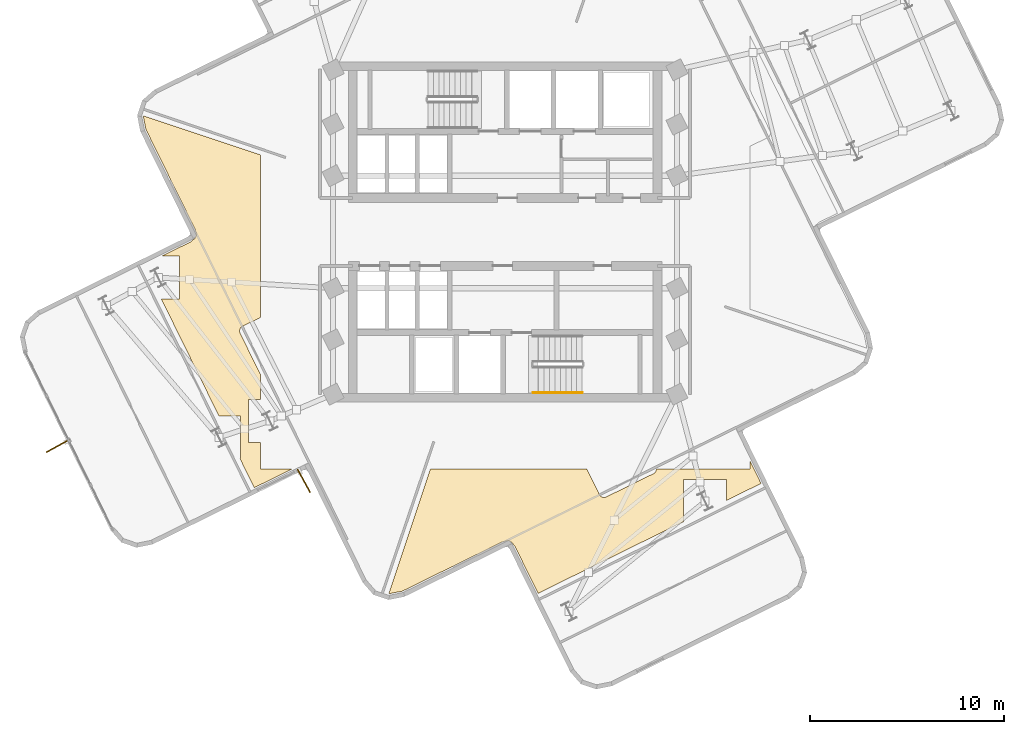
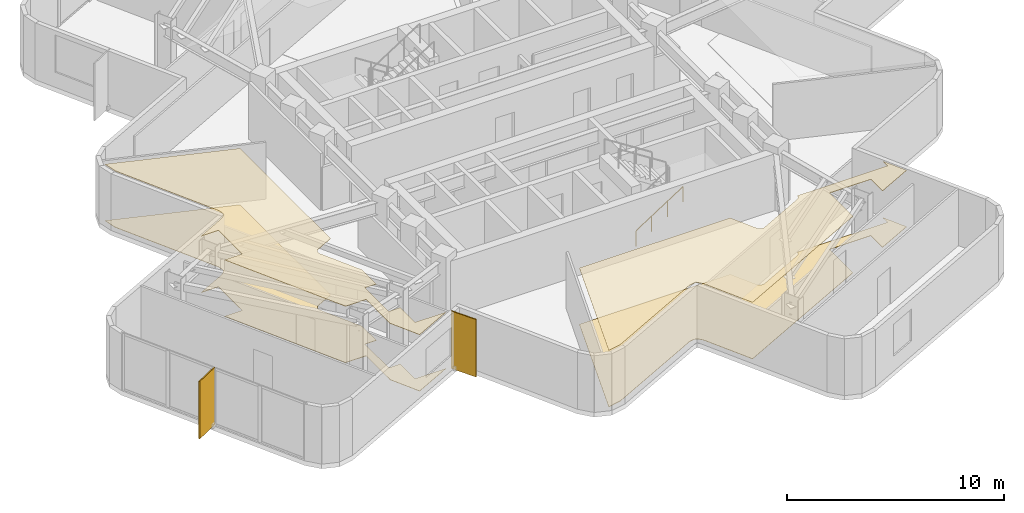
# One storey, part 9 of 11: 4 coverings, 2 shading devices, 1 railing.
"""IFC4 building model written with IfcOpenShell, lengths in metres."""

from ifc_helpers import new_model, si_unit, direction, frame, origin, origin_2d, place, context, subcontext, project, spatial, polyline, rectangle, circle, outline, extrude, material, layer, layer_set, type_object, element, save


model = new_model("IFC4")

# Units and contexts
model_context = context("Model", 3, precision=1e-05, world=origin(), true_north=direction((0.0, 1.0)))
body_context = subcontext(model_context, "Body", "Model", "MODEL_VIEW")
ifc_project = project(units=[si_unit("LENGTHUNIT", "METRE"), si_unit("AREAUNIT", "SQUARE_METRE"), si_unit("VOLUMEUNIT", "CUBIC_METRE"), si_unit("PLANEANGLEUNIT", "RADIAN"), si_unit("MASSUNIT", "GRAM", prefix="KILO")], contexts=[model_context])

# Site, building, storey
site_placement = place(None, origin())
site = spatial("IfcSite", under=ifc_project, at=site_placement, CompositionType="ELEMENT")
building_placement = place(site_placement, origin())
building = spatial("IfcBuilding", under=site, at=building_placement, Name="Solmarez Civic Tower", CompositionType="ELEMENT")
storey_placement = place(building_placement, frame((0.0, 0.0, 192.60009765625)))
storey = spatial("IfcBuildingStorey", under=building, at=storey_placement, Name="L51", CompositionType="ELEMENT", Elevation=192.60009765625)

# Coverings
ifc_material_1 = material(Name="Perforated Mineral-Fibre Acoustic Ceiling")
ifc_layer_1 = layer(ifc_material_1, 0.02490234375)
ifc_layer_set_1 = layer_set([ifc_layer_1], Name="Perforated Mineral-Fibre Acoustic Ceiling")
covering_type_1 = type_object("IfcCoveringType", Name="COV-CEIL-ACOUSTIC", PredefinedType="CEILING", material=ifc_layer_set_1)
covering_1_placement = place(storey_placement, frame((0.0, 0.0, 3.1748046875)))
element("IfcCovering", 1, at=covering_1_placement, inside=storey, type_object=covering_type_1, Name="L51 Suspended Acoustic Ceiling 1", PredefinedType="CEILING", context=body_context, shape_type="SweptSolid", body=[
    extrude(outline(polyline([(0.18701171875, -15.909912109375), (0.194091796875, -15.912109375), (0.2060546875, -15.9140625), (0.22509765625, -15.9189453125), (0.242919921875, -15.926025390625), (0.257080078125, -15.931884765625), (0.279052734375, -15.943115234375), (0.285888671875, -15.947021484375), (0.299072265625, -15.955078125), (0.304931640625, -15.958984375), (0.323974609375, -15.972900390625), (0.330078125, -15.97802734375), (0.344970703125, -15.990966796875), (0.35009765625, -15.99609375), (0.35888671875, -16.007080078125), (0.472900390625, -16.136962890625), (0.47998046875, -16.14501953125), (0.48388671875, -16.14990234375), (0.4951171875, -16.1650390625), (0.4990234375, -16.1708984375), (0.512939453125, -16.195068359375), (0.51611328125, -16.201904296875), (1.700927734375, -18.60498046875), (9.18994140625, -14.9140625), (9.18994140625, -12.75), (11.389892578125, -12.75), (11.389892578125, -13.8291015625), (13.181884765625, -12.946044921875), (12.60009765625, -11.763916015625), (12.60009765625, -12.199951171875), (7.7900390625, -12.199951171875), (7.7900390625, -12.205078125), (7.7890625, -12.22900390625), (7.7880859375, -12.238037109375), (7.784912109375, -12.258056640625), (7.780029296875, -12.277099609375), (7.777099609375, -12.285888671875), (7.77001953125, -12.304931640625), (7.761962890625, -12.322998046875), (7.7529296875, -12.341064453125), (7.748046875, -12.34912109375), (7.73388671875, -12.367919921875), (7.714111328125, -12.39208984375), (7.7099609375, -12.39599609375), (7.69091796875, -12.412109375), (7.6708984375, -12.427001953125), (7.666015625, -12.428955078125), (7.656982421875, -12.43505859375), (7.638916015625, -12.445068359375), (5.212890625, -13.639892578125), (5.196044921875, -13.64794921875), (5.177978515625, -13.654052734375), (5.158935546875, -13.658935546875), (5.154052734375, -13.659912109375), (5.14892578125, -13.660888671875), (5.1279296875, -13.6640625), (5.117919921875, -13.6650390625), (5.094970703125, -13.666015625), (5.072021484375, -13.6650390625), (5.06298828125, -13.6640625), (5.04296875, -13.660888671875), (5.02392578125, -13.656005859375), (5.0048828125, -13.64892578125), (5.0, -13.64697265625), (4.992919921875, -13.64404296875), (4.98388671875, -13.639892578125), (4.9560546875, -13.6259765625), (4.947998046875, -13.62109375), (4.927978515625, -13.60595703125), (4.908935546875, -13.590087890625), (4.905029296875, -13.5859375), (4.888916015625, -13.56689453125), (4.8740234375, -13.547119140625), (4.8720703125, -13.5419921875), (4.865966796875, -13.532958984375), (4.85595703125, -13.514892578125), (4.2080078125, -12.199951171875), (-3.837890625, -12.199951171875), (-5.98095703125, -18.625), (-5.97412109375, -18.6279296875), (-5.279052734375, -18.489990234375), (-0.16796875, -15.969970703125), (-0.162109375, -15.967041015625), (-0.14404296875, -15.958984375), (-0.1240234375, -15.951904296875), (-0.116943359375, -15.949951171875), (-0.110107421875, -15.947998046875), (-0.092041015625, -15.944091796875), (0.076904296875, -15.910888671875), (0.087890625, -15.908935546875), (0.09912109375, -15.907958984375), (0.10693359375, -15.906982421875), (0.134033203125, -15.905029296875), (0.14111328125, -15.905029296875), (0.16796875, -15.906982421875), (0.18701171875, -15.909912109375)])), origin(), (0.0, 0.0, 1.0), 0.025146484375),
])
covering_2_placement = place(storey_placement, frame((0.0, 0.0, 3.1748046875)))
element("IfcCovering", 2, at=covering_2_placement, inside=storey, type_object=covering_type_1, Name="L51 Suspended Acoustic Ceiling 2", PredefinedType="CEILING", context=body_context, shape_type="SweptSolid", body=[
    extrude(outline(polyline([(-15.9140625, -0.2060546875), (-15.9189453125, -0.22509765625), (-15.926025390625, -0.242919921875), (-15.931884765625, -0.257080078125), (-15.943115234375, -0.279052734375), (-15.947021484375, -0.285888671875), (-15.955078125, -0.299072265625), (-15.958984375, -0.304931640625), (-15.972900390625, -0.323974609375), (-15.97802734375, -0.330078125), (-15.990966796875, -0.344970703125), (-15.99609375, -0.35009765625), (-16.007080078125, -0.35888671875), (-16.136962890625, -0.472900390625), (-16.14501953125, -0.47998046875), (-16.14990234375, -0.48388671875), (-16.1650390625, -0.4951171875), (-16.1708984375, -0.4990234375), (-16.195068359375, -0.512939453125), (-16.201904296875, -0.51611328125), (-17.681884765625, -1.24609375), (-16.758056640625, -1.24609375), (-16.758056640625, -3.446044921875), (-17.699951171875, -3.446044921875), (-14.72998046875, -9.472900390625), (-13.631103515625, -9.472900390625), (-13.631103515625, -11.673095703125), (-13.64501953125, -11.673095703125), (-12.909912109375, -13.1640625), (-10.952880859375, -12.199951171875), (-12.60009765625, -12.199951171875), (-12.60009765625, -10.8310546875), (-13.2060546875, -10.8310546875), (-13.2060546875, -8.631103515625), (-12.60009765625, -8.631103515625), (-12.60009765625, -7.324951171875), (-13.639892578125, -5.212890625), (-13.64794921875, -5.196044921875), (-13.654052734375, -5.177978515625), (-13.658935546875, -5.158935546875), (-13.659912109375, -5.154052734375), (-13.660888671875, -5.14892578125), (-13.6640625, -5.1279296875), (-13.6650390625, -5.117919921875), (-13.666015625, -5.094970703125), (-13.6650390625, -5.072021484375), (-13.6640625, -5.06298828125), (-13.660888671875, -5.04296875), (-13.656005859375, -5.02392578125), (-13.64892578125, -5.0048828125), (-13.64697265625, -5.0), (-13.64404296875, -4.992919921875), (-13.639892578125, -4.98388671875), (-13.6259765625, -4.9560546875), (-13.62109375, -4.947998046875), (-13.60595703125, -4.927978515625), (-13.590087890625, -4.908935546875), (-13.5859375, -4.905029296875), (-13.56689453125, -4.888916015625), (-13.547119140625, -4.8740234375), (-13.5419921875, -4.8720703125), (-13.532958984375, -4.865966796875), (-13.514892578125, -4.85595703125), (-12.60009765625, -4.405029296875), (-12.60009765625, 3.970947265625), (-18.625, 5.98095703125), (-18.6279296875, 5.97412109375), (-18.489990234375, 5.279052734375), (-15.969970703125, 0.16796875), (-15.967041015625, 0.162109375), (-15.958984375, 0.14404296875), (-15.951904296875, 0.1240234375), (-15.949951171875, 0.116943359375), (-15.947998046875, 0.110107421875), (-15.944091796875, 0.092041015625), (-15.910888671875, -0.076904296875), (-15.908935546875, -0.087890625), (-15.907958984375, -0.09912109375), (-15.906982421875, -0.10693359375), (-15.905029296875, -0.134033203125), (-15.905029296875, -0.14111328125), (-15.906982421875, -0.16796875), (-15.909912109375, -0.18701171875), (-15.912109375, -0.194091796875), (-15.9140625, -0.2060546875)])), origin(), (0.0, 0.0, 1.0), 0.025146484375),
])
ifc_material_2 = material(Name="Polished Tropical Stone Terrazzo Flooring", Category="masonry")
ifc_layer_2 = layer(ifc_material_2, 0.02001953125)
ifc_layer_set_2 = layer_set([ifc_layer_2], Name="Polished Tropical Stone Terrazzo Flooring")
covering_type_2 = type_object("IfcCoveringType", Name="COV-FLOOR-TERRAZZO", PredefinedType="FLOORING", material=ifc_layer_set_2)
covering_3_placement = place(storey_placement, origin())
element("IfcCovering", 3, at=covering_3_placement, inside=storey, type_object=covering_type_2, Name="L51 Terrazzo Floor Finish 1", PredefinedType="FLOORING", context=body_context, shape_type="SweptSolid", body=[
    extrude(outline(polyline([(0.18701171875, -15.909912109375), (0.194091796875, -15.912109375), (0.2060546875, -15.9140625), (0.22509765625, -15.9189453125), (0.242919921875, -15.926025390625), (0.257080078125, -15.931884765625), (0.279052734375, -15.943115234375), (0.285888671875, -15.947021484375), (0.299072265625, -15.955078125), (0.304931640625, -15.958984375), (0.323974609375, -15.972900390625), (0.330078125, -15.97802734375), (0.344970703125, -15.990966796875), (0.35009765625, -15.99609375), (0.35888671875, -16.007080078125), (0.472900390625, -16.136962890625), (0.47998046875, -16.14501953125), (0.48388671875, -16.14990234375), (0.4951171875, -16.1650390625), (0.4990234375, -16.1708984375), (0.512939453125, -16.195068359375), (0.51611328125, -16.201904296875), (1.700927734375, -18.60498046875), (9.18994140625, -14.9140625), (9.18994140625, -12.75), (11.389892578125, -12.75), (11.389892578125, -13.8291015625), (13.181884765625, -12.946044921875), (12.60009765625, -11.763916015625), (12.60009765625, -12.199951171875), (7.7900390625, -12.199951171875), (7.7900390625, -12.205078125), (7.7890625, -12.22900390625), (7.7880859375, -12.238037109375), (7.784912109375, -12.258056640625), (7.780029296875, -12.277099609375), (7.777099609375, -12.285888671875), (7.77001953125, -12.304931640625), (7.761962890625, -12.322998046875), (7.7529296875, -12.341064453125), (7.748046875, -12.34912109375), (7.73388671875, -12.367919921875), (7.714111328125, -12.39208984375), (7.7099609375, -12.39599609375), (7.69091796875, -12.412109375), (7.6708984375, -12.427001953125), (7.666015625, -12.428955078125), (7.656982421875, -12.43505859375), (7.638916015625, -12.445068359375), (5.212890625, -13.639892578125), (5.196044921875, -13.64794921875), (5.177978515625, -13.654052734375), (5.158935546875, -13.658935546875), (5.154052734375, -13.659912109375), (5.14892578125, -13.660888671875), (5.1279296875, -13.6640625), (5.117919921875, -13.6650390625), (5.094970703125, -13.666015625), (5.072021484375, -13.6650390625), (5.06298828125, -13.6640625), (5.04296875, -13.660888671875), (5.02392578125, -13.656005859375), (5.0048828125, -13.64892578125), (5.0, -13.64697265625), (4.992919921875, -13.64404296875), (4.98388671875, -13.639892578125), (4.9560546875, -13.6259765625), (4.947998046875, -13.62109375), (4.927978515625, -13.60595703125), (4.908935546875, -13.590087890625), (4.905029296875, -13.5859375), (4.888916015625, -13.56689453125), (4.8740234375, -13.547119140625), (4.8720703125, -13.5419921875), (4.865966796875, -13.532958984375), (4.85595703125, -13.514892578125), (4.2080078125, -12.199951171875), (-3.837890625, -12.199951171875), (-5.98095703125, -18.625), (-5.97412109375, -18.6279296875), (-5.279052734375, -18.489990234375), (-0.16796875, -15.969970703125), (-0.162109375, -15.967041015625), (-0.14404296875, -15.958984375), (-0.1240234375, -15.951904296875), (-0.116943359375, -15.949951171875), (-0.110107421875, -15.947998046875), (-0.092041015625, -15.944091796875), (0.076904296875, -15.910888671875), (0.087890625, -15.908935546875), (0.09912109375, -15.907958984375), (0.10693359375, -15.906982421875), (0.134033203125, -15.905029296875), (0.14111328125, -15.905029296875), (0.16796875, -15.906982421875), (0.18701171875, -15.909912109375)])), origin(), (0.0, 0.0, 1.0), 0.02001953125),
])
covering_4_placement = place(storey_placement, origin())
element("IfcCovering", 4, at=covering_4_placement, inside=storey, type_object=covering_type_2, Name="L51 Terrazzo Floor Finish 2", PredefinedType="FLOORING", context=body_context, shape_type="SweptSolid", body=[
    extrude(outline(polyline([(-15.9140625, -0.2060546875), (-15.9189453125, -0.22509765625), (-15.926025390625, -0.242919921875), (-15.931884765625, -0.257080078125), (-15.943115234375, -0.279052734375), (-15.947021484375, -0.285888671875), (-15.955078125, -0.299072265625), (-15.958984375, -0.304931640625), (-15.972900390625, -0.323974609375), (-15.97802734375, -0.330078125), (-15.990966796875, -0.344970703125), (-15.99609375, -0.35009765625), (-16.007080078125, -0.35888671875), (-16.136962890625, -0.472900390625), (-16.14501953125, -0.47998046875), (-16.14990234375, -0.48388671875), (-16.1650390625, -0.4951171875), (-16.1708984375, -0.4990234375), (-16.195068359375, -0.512939453125), (-16.201904296875, -0.51611328125), (-17.681884765625, -1.24609375), (-16.758056640625, -1.24609375), (-16.758056640625, -3.446044921875), (-17.699951171875, -3.446044921875), (-14.72998046875, -9.472900390625), (-13.631103515625, -9.472900390625), (-13.631103515625, -11.673095703125), (-13.64501953125, -11.673095703125), (-12.909912109375, -13.1640625), (-10.952880859375, -12.199951171875), (-12.60009765625, -12.199951171875), (-12.60009765625, -10.8310546875), (-13.2060546875, -10.8310546875), (-13.2060546875, -8.631103515625), (-12.60009765625, -8.631103515625), (-12.60009765625, -7.324951171875), (-13.639892578125, -5.212890625), (-13.64794921875, -5.196044921875), (-13.654052734375, -5.177978515625), (-13.658935546875, -5.158935546875), (-13.659912109375, -5.154052734375), (-13.660888671875, -5.14892578125), (-13.6640625, -5.1279296875), (-13.6650390625, -5.117919921875), (-13.666015625, -5.094970703125), (-13.6650390625, -5.072021484375), (-13.6640625, -5.06298828125), (-13.660888671875, -5.04296875), (-13.656005859375, -5.02392578125), (-13.64892578125, -5.0048828125), (-13.64697265625, -5.0), (-13.64404296875, -4.992919921875), (-13.639892578125, -4.98388671875), (-13.6259765625, -4.9560546875), (-13.62109375, -4.947998046875), (-13.60595703125, -4.927978515625), (-13.590087890625, -4.908935546875), (-13.5859375, -4.905029296875), (-13.56689453125, -4.888916015625), (-13.547119140625, -4.8740234375), (-13.5419921875, -4.8720703125), (-13.532958984375, -4.865966796875), (-13.514892578125, -4.85595703125), (-12.60009765625, -4.405029296875), (-12.60009765625, 3.970947265625), (-18.625, 5.98095703125), (-18.6279296875, 5.97412109375), (-18.489990234375, 5.279052734375), (-15.969970703125, 0.16796875), (-15.967041015625, 0.162109375), (-15.958984375, 0.14404296875), (-15.951904296875, 0.1240234375), (-15.949951171875, 0.116943359375), (-15.947998046875, 0.110107421875), (-15.944091796875, 0.092041015625), (-15.910888671875, -0.076904296875), (-15.908935546875, -0.087890625), (-15.907958984375, -0.09912109375), (-15.906982421875, -0.10693359375), (-15.905029296875, -0.134033203125), (-15.905029296875, -0.14111328125), (-15.906982421875, -0.16796875), (-15.909912109375, -0.18701171875), (-15.912109375, -0.194091796875), (-15.9140625, -0.2060546875)])), origin(), (0.0, 0.0, 1.0), 0.02001953125),
])

# Shading devices
ifc_material_3 = material(Name="Bronze Anodised Aluminium EN AW-6063 T6", Category="aluminium")
ifc_layer_3 = layer(ifc_material_3, 0.06005859375)
ifc_layer_set_3 = layer_set([ifc_layer_3], Name="Bronze Anodised Aluminium EN AW-6063 T6")
shading_device_type = type_object("IfcShadingDeviceType", Name="FIN-BRONZE-Z34", PredefinedType="USERDEFINED", material=ifc_layer_set_3)
for number, where, z_axis, x_axis, name in (
    (5, (-10.35400390625, -12.81396484375, -0.0400390625), (0.0, 0.0, 1.0), (0.481937196776, -0.876205762571, 0.0), "L51 Anodised Bronze Solar Fin FIN-L51-01"),
    (6, (-23.01806640625, -11.011962890625, -0.0400390625), (0.0, 0.0, 1.0), (-0.876138462904, -0.482059533482, 0.0), "L51 Anodised Bronze Solar Fin FIN-L51-02"),
):
    element("IfcShadingDevice", number, at=place(storey_placement, frame(where, z_axis=z_axis, x_axis=x_axis)), inside=storey, type_object=shading_device_type, Name=name, ObjectType="FIN", PredefinedType="USERDEFINED", context=body_context, shape_type="SweptSolid", body=[
        extrude(rectangle(XDim=1.35009765625, YDim=0.06005859375, at=origin_2d()), origin(), (0.0, 0.0, 1.0), 3.239990234375),
    ])

# Railing
ifc_material_4 = material(Name="Brushed Stainless Steel Tube Handrail", Category="steel")
railing_type = type_object("IfcRailingType", Name="HANDRAIL-STAIR-900", PredefinedType="HANDRAIL", material=ifc_material_4)
railing_placement = place(storey_placement, frame((1.449951171875, -8.27001953125, 0.179931640625)))
element("IfcRailing", 7, at=railing_placement, inside=storey, type_object=railing_type, Name="L51 ST-2 stair handrail 1", PredefinedType="HANDRAIL", context=body_context, shape_type="SweptSolid", body=[
    extrude(circle(Radius=0.02392578125, at=origin_2d()), frame((0.0, 0.0, 0.8759765625), z_axis=(0.841199657755, 0.0, 0.540724639528), x_axis=(0.0, 1.0, 0.0)), (0.0, 0.0, 1.0), 2.995849609375),
    extrude(circle(Radius=0.02099609375, at=origin_2d()), origin(), (0.0, 0.0, 1.0), 0.851806640625),
    extrude(circle(Radius=0.02099609375, at=origin_2d()), frame((0.840087890625, 0.0, 0.5400390625)), (0.0, 0.0, 1.0), 0.851806640625),
    extrude(circle(Radius=0.02099609375, at=origin_2d()), frame((1.679931640625, 0.0, 1.079833984375)), (0.0, 0.0, 1.0), 0.851806640625),
    extrude(circle(Radius=0.02099609375, at=origin_2d()), frame((2.52001953125, 0.0, 1.619873046875)), (0.0, 0.0, 1.0), 0.851806640625),
])

save(model, "model.ifc")
